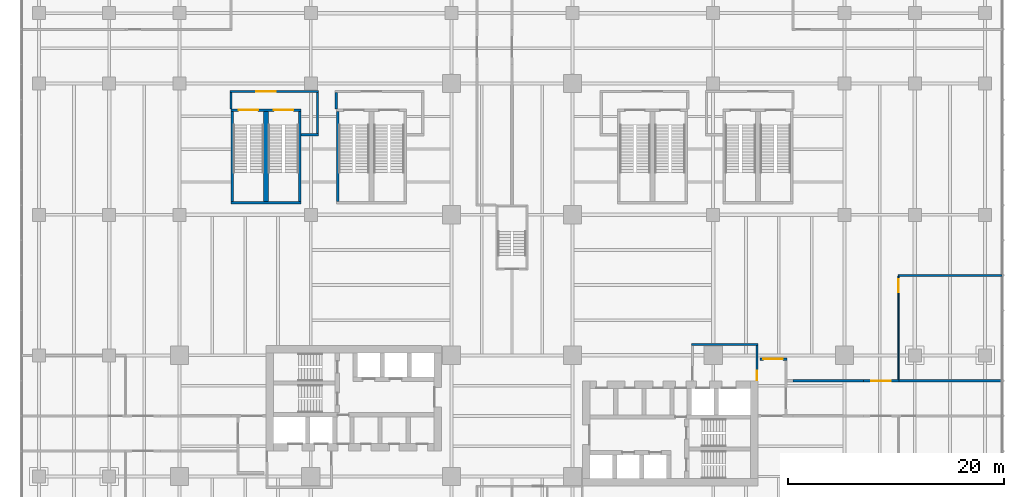
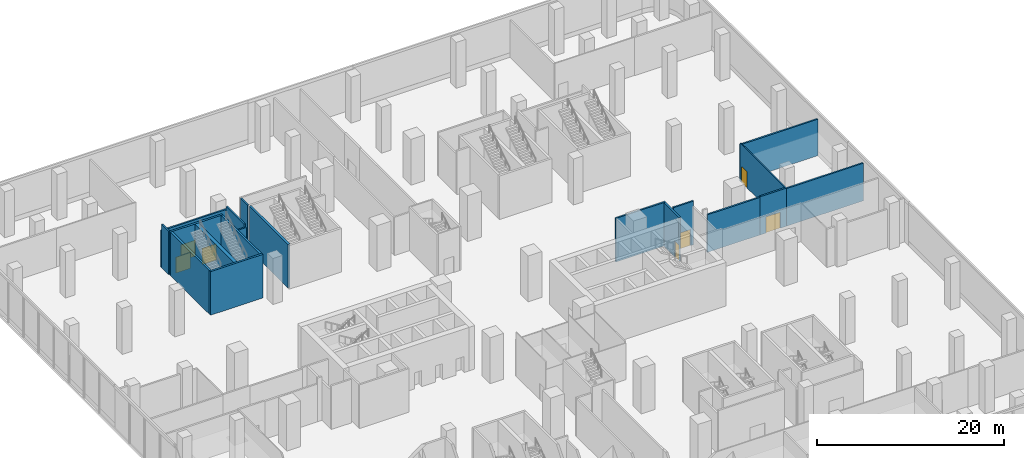
# One storey, part 37 of 41: 19 walls, 7 doors, 7 openings.
"""IFC4 building model written with IfcOpenShell, lengths in metres."""

from ifc_helpers import new_model, si_unit, direction, frame, frame_2d, origin, place, context, subcontext, project, spatial, rectangle, extrude, source, transform, mapped, material, layer, layer_set, type_object, element, fill, save


model = new_model("IFC4")

# Units and contexts
model_context = context("Model", 3, precision=1e-05, world=origin(), true_north=direction((0.0, 1.0)))
body_context = subcontext(model_context, "Body", "Model", "MODEL_VIEW")
ifc_project = project(units=[si_unit("LENGTHUNIT", "METRE"), si_unit("AREAUNIT", "SQUARE_METRE"), si_unit("VOLUMEUNIT", "CUBIC_METRE"), si_unit("PLANEANGLEUNIT", "RADIAN"), si_unit("MASSUNIT", "GRAM", prefix="KILO")], contexts=[model_context])

# Site, building, storey
site_placement = place(None, origin())
site = spatial("IfcSite", under=ifc_project, at=site_placement, CompositionType="ELEMENT")
building_placement = place(site_placement, origin())
building = spatial("IfcBuilding", under=site, at=building_placement, Name="Trellis Farm Tower", CompositionType="ELEMENT")
storey_placement = place(building_placement, frame((0.0, 0.0, 8.0)))
storey = spatial("IfcBuildingStorey", under=building, at=storey_placement, Name="L01", CompositionType="ELEMENT", Elevation=8.0)

# Wall, opening, door
ifc_material_1 = material(Name="Masonry blockwork", Category="masonry")
ifc_layer_1 = layer(ifc_material_1, 0.199951171875)
ifc_layer_set_1 = layer_set([ifc_layer_1], Name="FIRE LOBBY PARTITION 200 BLOCKWORK")
wall_type_1 = type_object("IfcWallType", Name="FIRE LOBBY PARTITION 200 BLOCKWORK", PredefinedType="PARTITIONING", material=ifc_layer_set_1)
shared_shape_1 = source(origin(), body_context, "Body", "SweptSolid", [
    extrude(rectangle(XDim=3.25, YDim=0.199951171875, at=frame_2d((1.625, 0.0))), origin(), (0.0, 0.0, 1.0), 5.699951171875),
])
wall_1_placement = place(storey_placement, frame((22.64990234375, 3.25, 0.0), z_axis=(0.0, 0.0, 1.0), x_axis=(0.0, 1.0, 0.0)))
wall_1 = element("IfcWall", 1, at=wall_1_placement, inside=storey, type_object=wall_type_1, Name="Fire-fighting lobby partition", PredefinedType="PARTITIONING", context=body_context, shape_type="MappedRepresentation", body=[
    mapped(shared_shape_1, transform((0.0, 0.0, 0.0))),
])
shared_shape_2 = source(origin(), body_context, "Body", "SweptSolid", [
    extrude(rectangle(XDim=0.89990234375, YDim=2.10009765625, at=frame_2d((0.449951171875, 1.050048828125))), frame((0.0, 0.110107421875, 0.0), z_axis=(0.0, -1.0, 0.0), x_axis=(1.0, 0.0, 0.0)), (0.0, 0.0, 1.0), 0.22021484375),
])
opening_1_placement = place(wall_1_placement, frame((0.050048828125, 0.0, 0.0)))
opening_1 = element("IfcOpeningElement", 2, at=opening_1_placement, cuts=wall_1, Name="Opening DC8", PredefinedType="OPENING", context=body_context, shape_type="MappedRepresentation", body=[
    mapped(shared_shape_2, transform((0.0, 0.0, 0.0))),
])
ifc_material_2 = material(Name="Steel", Category="steel")
door_type_1 = type_object("IfcDoorType", Name="CORE FIRE DOOR 900 X 2100", OperationType="NOTDEFINED", PredefinedType="DOOR", material=ifc_material_2)
shared_shape_3 = source(origin(), body_context, "Body", "SweptSolid", [
    extrude(rectangle(XDim=0.89990234375, YDim=2.10009765625, at=frame_2d((0.449951171875, 1.050048828125))), frame((0.0, 0.02490234375, 0.0), z_axis=(0.0, -1.0, 0.0), x_axis=(1.0, 0.0, 0.0)), (0.0, 0.0, 1.0), 0.050048828125),
])
door_1_placement = place(opening_1_placement, origin())
door_1 = element("IfcDoor", 3, at=door_1_placement, inside=storey, type_object=door_type_1, Name="Core door", OperationType="SINGLE_SWING_RIGHT", OverallHeight=2.10009765625, OverallWidth=0.89990234375, PredefinedType="DOOR", context=body_context, shape_type="MappedRepresentation", body=[
    mapped(shared_shape_3, transform((0.0, 0.0, 0.0))),
])
fill(opening_1, door_1)

# Wall
shared_shape_4 = source(origin(), body_context, "Body", "SweptSolid", [
    extrude(rectangle(XDim=6.14990234375, YDim=0.199951171875, at=frame_2d((3.074951171875, 0.0))), origin(), (0.0, 0.0, 1.0), 5.699951171875),
])
wall_2_placement = place(storey_placement, frame((16.60009765625, 6.60009765625, 0.0), z_axis=(0.0, 0.0, 1.0), x_axis=(1.0, 0.0, 0.0)))
element("IfcWall", 4, at=wall_2_placement, inside=storey, type_object=wall_type_1, Name="Fire-fighting lobby partition", PredefinedType="PARTITIONING", context=body_context, shape_type="MappedRepresentation", body=[
    mapped(shared_shape_4, transform((0.0, 0.0, 0.0))),
])

# Wall, openings, doors
ifc_material_3 = material(Name="Concrete C80/95", Category="concrete")
ifc_layer_2 = layer(ifc_material_3, 0.25)
ifc_layer_set_2 = layer_set([ifc_layer_2], Name="CORE STAIR ENCLOSURE WALL 250 CONCRETE C80/95")
wall_type_2 = type_object("IfcWallType", Name="CORE STAIR ENCLOSURE WALL 250 CONCRETE C80/95", PredefinedType="SHEAR", material=ifc_layer_set_2)
shared_shape_5 = source(origin(), body_context, "Body", "SweptSolid", [
    extrude(rectangle(XDim=6.5, YDim=0.25, at=frame_2d((3.25, 0.0))), origin(), (0.0, 0.0, 1.0), 5.699951171875),
])
wall_3_placement = place(storey_placement, frame((-26.0, 28.27490234375, 0.0), z_axis=(0.0, 0.0, 1.0), x_axis=(1.0, 0.0, 0.0)))
wall_3 = element("IfcWall", 5, at=wall_3_placement, inside=storey, type_object=wall_type_2, Name="Podium stair enclosure wall", PredefinedType="SHEAR", context=body_context, shape_type="MappedRepresentation", body=[
    mapped(shared_shape_5, transform((0.0, 0.0, 0.0))),
])
shared_shape_6 = source(origin(), body_context, "Body", "SweptSolid", [
    extrude(rectangle(XDim=1.800048828125, YDim=2.10009765625, at=frame_2d((0.89990234375, 1.050048828125))), frame((0.0, 0.135009765625, 0.0), z_axis=(0.0, -1.0, 0.0), x_axis=(1.0, 0.0, 0.0)), (0.0, 0.0, 1.0), 0.27001953125),
])
opening_2_placement = place(wall_3_placement, frame((0.72509765625, 0.0, 0.0)))
opening_2 = element("IfcOpeningElement", 6, at=opening_2_placement, cuts=wall_3, Name="Opening DP1", PredefinedType="OPENING", context=body_context, shape_type="MappedRepresentation", body=[
    mapped(shared_shape_6, transform((0.0, 0.0, 0.0))),
])
opening_3_placement = place(wall_3_placement, frame((3.97509765625, 0.0, 0.0)))
opening_3 = element("IfcOpeningElement", 7, at=opening_3_placement, cuts=wall_3, Name="Opening DP2", PredefinedType="OPENING", context=body_context, shape_type="MappedRepresentation", body=[
    mapped(shared_shape_6, transform((0.0, 0.0, 0.0))),
])
door_type_2 = type_object("IfcDoorType", Name="CORE FIRE DOOR DOUBLE 1800 X 2100", OperationType="DOUBLE_DOOR_SINGLE_SWING", PredefinedType="DOOR", material=ifc_material_2)
shared_shape_7 = source(origin(), body_context, "Body", "SweptSolid", [
    extrude(rectangle(XDim=1.800048828125, YDim=2.10009765625, at=frame_2d((0.89990234375, 1.050048828125))), frame((0.0, 0.02490234375, 0.0), z_axis=(0.0, -1.0, 0.0), x_axis=(1.0, 0.0, 0.0)), (0.0, 0.0, 1.0), 0.050048828125),
])
door_2_placement = place(opening_2_placement, origin())
door_2 = element("IfcDoor", 8, at=door_2_placement, inside=storey, type_object=door_type_2, Name="Podium stair door", OperationType="DOUBLE_DOOR_SINGLE_SWING", OverallHeight=2.10009765625, OverallWidth=1.800048828125, PredefinedType="DOOR", context=body_context, shape_type="MappedRepresentation", body=[
    mapped(shared_shape_7, transform((0.0, 0.0, 0.0))),
])
fill(opening_2, door_2)
door_3_placement = place(opening_3_placement, origin())
door_3 = element("IfcDoor", 9, at=door_3_placement, inside=storey, type_object=door_type_2, Name="Podium stair door", OperationType="DOUBLE_DOOR_SINGLE_SWING", OverallHeight=2.10009765625, OverallWidth=1.800048828125, PredefinedType="DOOR", context=body_context, shape_type="MappedRepresentation", body=[
    mapped(shared_shape_7, transform((0.0, 0.0, 0.0))),
])
fill(opening_3, door_3)

# Walls
wall_4_placement = place(storey_placement, frame((-26.0, 19.72509765625, 0.0), z_axis=(0.0, 0.0, 1.0), x_axis=(1.0, 0.0, 0.0)))
element("IfcWall", 10, at=wall_4_placement, inside=storey, type_object=wall_type_2, Name="Podium stair enclosure wall", PredefinedType="SHEAR", context=body_context, shape_type="MappedRepresentation", body=[
    mapped(shared_shape_5, transform((0.0, 0.0, 0.0))),
])
shared_shape_8 = source(origin(), body_context, "Body", "SweptSolid", [
    extrude(rectangle(XDim=8.2998046875, YDim=0.25, at=frame_2d((4.14990234375, 0.0))), origin(), (0.0, 0.0, 1.0), 5.699951171875),
])
for number, where, z_axis, x_axis, name in (
    (11, (-25.875, 19.85009765625, 0.0), (0.0, 0.0, 1.0), (0.0, 1.0, 0.0), "Podium stair enclosure wall"),
    (12, (-19.625, 19.85009765625, 0.0), (0.0, 0.0, 1.0), (0.0, 1.0, 0.0), "Podium stair enclosure wall"),
    (13, (-16.125, 19.85009765625, 0.0), (0.0, 0.0, 1.0), (0.0, 1.0, 0.0), "Podium stair enclosure wall"),
):
    element("IfcWall", number, at=place(storey_placement, frame(where, z_axis=z_axis, x_axis=x_axis)), inside=storey, type_object=wall_type_2, Name=name, PredefinedType="SHEAR", context=body_context, shape_type="MappedRepresentation", body=[
        mapped(shared_shape_8, transform((0.0, 0.0, 0.0))),
    ])
ifc_layer_3 = layer(ifc_material_3, 0.43994140625)
ifc_layer_set_3 = layer_set([ifc_layer_3], Name="CORE STAIR ENCLOSURE WALL 440 CONCRETE C80/95")
wall_type_3 = type_object("IfcWallType", Name="CORE STAIR ENCLOSURE WALL 440 CONCRETE C80/95", PredefinedType="SHEAR", material=ifc_layer_set_3)
shared_shape_9 = source(origin(), body_context, "Body", "SweptSolid", [
    extrude(rectangle(XDim=8.2998046875, YDim=0.43994140625, at=frame_2d((4.14990234375, 0.0))), origin(), (0.0, 0.0, 1.0), 5.699951171875),
])
wall_5_placement = place(storey_placement, frame((-22.75, 19.85009765625, 0.0), z_axis=(0.0, 0.0, 1.0), x_axis=(0.0, 1.0, 0.0)))
element("IfcWall", 14, at=wall_5_placement, inside=storey, type_object=wall_type_3, Name="Podium stair enclosure wall", PredefinedType="SHEAR", context=body_context, shape_type="MappedRepresentation", body=[
    mapped(shared_shape_9, transform((0.0, 0.0, 0.0))),
])
ifc_material_4 = material(Name="Lightweight blockwork, plastered", Category="masonry")
ifc_layer_4 = layer(ifc_material_4, 0.199951171875)
ifc_layer_set_4 = layer_set([ifc_layer_4], Name="BLOCK WALL 200 EI 120")
wall_type_4 = type_object("IfcWallType", Name="BLOCK WALL 200 EI 120", PredefinedType="PARTITIONING", material=ifc_layer_set_4)
shared_shape_10 = source(origin(), body_context, "Body", "SweptSolid", [
    extrude(rectangle(XDim=1.5, YDim=0.199951171875, at=frame_2d((0.75, 0.0))), origin(), (0.0, 0.0, 1.0), 5.699951171875),
])
for number, where, z_axis, x_axis, name in (
    (15, (-26.0, 29.89990234375, 0.0), (0.0, 0.0, 1.0), (0.0, -1.0, 0.0), "Partition PW3"),
    (16, (-16.25, 28.39990234375, 0.0), (0.0, 0.0, 1.0), (0.0, 1.0, 0.0), "Partition PW3"),
):
    element("IfcWall", number, at=place(storey_placement, frame(where, z_axis=z_axis, x_axis=x_axis)), inside=storey, type_object=wall_type_4, Name=name, PredefinedType="PARTITIONING", context=body_context, shape_type="MappedRepresentation", body=[
        mapped(shared_shape_10, transform((0.0, 0.0, 0.0))),
    ])
shared_shape_11 = source(origin(), body_context, "Body", "SweptSolid", [
    extrude(rectangle(XDim=3.7998046875, YDim=0.199951171875, at=frame_2d((1.89990234375, 0.0))), origin(), (0.0, 0.0, 1.0), 5.222900390625),
])
wall_6_placement = place(storey_placement, frame((-18.0, 29.89990234375, 0.0), z_axis=(0.0, 0.0, 1.0), x_axis=(0.0, -1.0, 0.0)))
element("IfcWall", 17, at=wall_6_placement, inside=storey, type_object=wall_type_4, Name="Partition PW3", PredefinedType="PARTITIONING", context=body_context, shape_type="MappedRepresentation", body=[
    mapped(shared_shape_11, transform((0.0, 0.0, 0.0))),
])

# Wall, opening, door
ifc_material_5 = material(Name="Plasterboard on steel studs, mineral wool", Category="steel")
ifc_layer_5 = layer(ifc_material_5, 0.125)
ifc_layer_set_5 = layer_set([ifc_layer_5], Name="PARTITION 125 STUD EI 60")
wall_type_5 = type_object("IfcWallType", Name="PARTITION 125 STUD EI 60", PredefinedType="PARTITIONING", material=ifc_layer_set_5)
shared_shape_12 = source(origin(), body_context, "Body", "SweptSolid", [
    extrude(rectangle(XDim=9.5498046875, YDim=0.125, at=frame_2d((4.77490234375, 0.0))), origin(), (0.0, 0.0, 1.0), 4.99658203125),
])
wall_7_placement = place(storey_placement, frame((35.75, 12.89990234375, 0.0), z_axis=(0.0, 0.0, 1.0), x_axis=(0.0, -1.0, 0.0)))
wall_7 = element("IfcWall", 18, at=wall_7_placement, inside=storey, type_object=wall_type_5, Name="Partition PW1", PredefinedType="PARTITIONING", context=body_context, shape_type="MappedRepresentation", body=[
    mapped(shared_shape_12, transform((0.0, 0.0, 0.0))),
])
shared_shape_13 = source(origin(), body_context, "Body", "SweptSolid", [
    extrude(rectangle(XDim=1.199951171875, YDim=2.10009765625, at=frame_2d((0.60009765625, 1.050048828125))), frame((0.0, 0.072509765625, 0.0), z_axis=(0.0, -1.0, 0.0), x_axis=(1.0, 0.0, 0.0)), (0.0, 0.0, 1.0), 0.14501953125),
])
opening_4_placement = place(wall_7_placement, frame((0.25, 0.0, 0.0)))
opening_4 = element("IfcOpeningElement", 19, at=opening_4_placement, cuts=wall_7, Name="Opening D608", PredefinedType="OPENING", context=body_context, shape_type="MappedRepresentation", body=[
    mapped(shared_shape_13, transform((0.0, 0.0, 0.0))),
])
ifc_material_6 = material(Name="Fire-rated timber door leaf in a hollow metal frame", Category="wood")
door_type_3 = type_object("IfcDoorType", Name="DOOR 1200x2100 FD30S", OperationType="NOTDEFINED", PredefinedType="DOOR", material=ifc_material_6)
shared_shape_14 = source(origin(), body_context, "Body", "SweptSolid", [
    extrude(rectangle(XDim=1.199951171875, YDim=2.10009765625, at=frame_2d((0.60009765625, 1.050048828125))), frame((0.0, 0.02490234375, 0.0), z_axis=(0.0, -1.0, 0.0), x_axis=(1.0, 0.0, 0.0)), (0.0, 0.0, 1.0), 0.050048828125),
])
door_4_placement = place(opening_4_placement, origin())
door_4 = element("IfcDoor", 20, at=door_4_placement, inside=storey, type_object=door_type_3, Name="Door D608", OperationType="SINGLE_SWING_LEFT", OverallHeight=2.10009765625, OverallWidth=1.199951171875, PredefinedType="DOOR", context=body_context, shape_type="MappedRepresentation", body=[
    mapped(shared_shape_14, transform((0.0, 0.0, 0.0))),
])
fill(opening_4, door_4)

shared_shape_15 = source(origin(), body_context, "Body", "SweptSolid", [
    extrude(rectangle(XDim=8.2001953125, YDim=0.199951171875, at=frame_2d((4.10009765625, 0.0))), origin(), (0.0, 0.0, 1.0), 4.83935546875),
])
wall_8_placement = place(storey_placement, frame((-26.10009765625, 30.0, 0.0), z_axis=(0.0, 0.0, 1.0), x_axis=(1.0, 0.0, 0.0)))
wall_8 = element("IfcWall", 21, at=wall_8_placement, inside=storey, type_object=wall_type_4, Name="Partition PW3", PredefinedType="PARTITIONING", context=body_context, shape_type="MappedRepresentation", body=[
    mapped(shared_shape_15, transform((0.0, 0.0, 0.0))),
])
shared_shape_16 = source(origin(), body_context, "Body", "SweptSolid", [
    extrude(rectangle(XDim=1.800048828125, YDim=2.10009765625, at=frame_2d((0.89990234375, 1.050048828125))), frame((0.0, 0.110107421875, 0.0), z_axis=(0.0, -1.0, 0.0), x_axis=(1.0, 0.0, 0.0)), (0.0, 0.0, 1.0), 0.22021484375),
])
opening_5_placement = place(wall_8_placement, frame((2.449951171875, 0.0, 0.0)))
opening_5 = element("IfcOpeningElement", 22, at=opening_5_placement, cuts=wall_8, Name="Opening D416", PredefinedType="OPENING", context=body_context, shape_type="MappedRepresentation", body=[
    mapped(shared_shape_16, transform((0.0, 0.0, 0.0))),
])
door_type_4 = type_object("IfcDoorType", Name="DOOR PAIR 1800x2100 FD60", OperationType="NOTDEFINED", PredefinedType="DOOR", material=ifc_material_6)
door_5_placement = place(opening_5_placement, origin())
door_5 = element("IfcDoor", 23, at=door_5_placement, inside=storey, type_object=door_type_4, Name="Door D416", OperationType="DOUBLE_DOOR_SINGLE_SWING", OverallHeight=2.10009765625, OverallWidth=1.800048828125, PredefinedType="DOOR", context=body_context, shape_type="MappedRepresentation", body=[
    mapped(shared_shape_7, transform((0.0, 0.0, 0.0))),
])
fill(opening_5, door_5)

# Wall
shared_shape_17 = source(origin(), body_context, "Body", "SweptSolid", [
    extrude(rectangle(XDim=1.60009765625, YDim=0.199951171875, at=frame_2d((0.800048828125, 0.0))), origin(), (0.0, 0.0, 1.0), 4.83935546875),
])
wall_9_placement = place(storey_placement, frame((-17.89990234375, 26.0, 0.0), z_axis=(0.0, 0.0, 1.0), x_axis=(-1.0, 0.0, 0.0)))
element("IfcWall", 24, at=wall_9_placement, inside=storey, type_object=wall_type_4, Name="Partition PW3", PredefinedType="PARTITIONING", context=body_context, shape_type="MappedRepresentation", body=[
    mapped(shared_shape_17, transform((0.0, 0.0, 0.0))),
])

# Wall, opening, door
shared_shape_18 = source(origin(), body_context, "Body", "SweptSolid", [
    extrude(rectangle(XDim=3.3125, YDim=0.199951171875, at=frame_2d((1.65625, 0.0))), origin(), (0.0, 0.0, 1.0), 4.99658203125),
])
wall_10_placement = place(storey_placement, frame((32.5, 3.25, 0.0), z_axis=(0.0, 0.0, 1.0), x_axis=(1.0, 0.0, 0.0)))
wall_10 = element("IfcWall", 25, at=wall_10_placement, inside=storey, type_object=wall_type_4, Name="Partition PW3", PredefinedType="PARTITIONING", context=body_context, shape_type="MappedRepresentation", body=[
    mapped(shared_shape_18, transform((0.0, 0.0, 0.0))),
])
opening_6_placement = place(wall_10_placement, frame((0.72509765625, 0.0, 0.0)))
opening_6 = element("IfcOpeningElement", 26, at=opening_6_placement, cuts=wall_10, Name="Opening D414", PredefinedType="OPENING", context=body_context, shape_type="MappedRepresentation", body=[
    mapped(shared_shape_16, transform((0.0, 0.0, 0.0))),
])
door_6_placement = place(opening_6_placement, origin())
door_6 = element("IfcDoor", 27, at=door_6_placement, inside=storey, type_object=door_type_4, Name="Door D414", OperationType="DOUBLE_DOOR_SINGLE_SWING", OverallHeight=2.10009765625, OverallWidth=1.800048828125, PredefinedType="DOOR", context=body_context, shape_type="MappedRepresentation", body=[
    mapped(shared_shape_7, transform((0.0, 0.0, 0.0))),
])
fill(opening_6, door_6)

# Walls
shared_shape_19 = source(origin(), body_context, "Body", "SweptSolid", [
    extrude(rectangle(XDim=6.5, YDim=0.199951171875, at=frame_2d((3.25, 0.0))), origin(), (0.0, 0.0, 1.0), 4.917724609375),
])
wall_11_placement = place(storey_placement, frame((26.0, 3.25, 0.0), z_axis=(0.0, 0.0, 1.0), x_axis=(1.0, 0.0, 0.0)))
element("IfcWall", 28, at=wall_11_placement, inside=storey, type_object=wall_type_4, Name="Partition PW3", PredefinedType="PARTITIONING", context=body_context, shape_type="MappedRepresentation", body=[
    mapped(shared_shape_19, transform((0.0, 0.0, 0.0))),
])
shared_shape_20 = source(origin(), body_context, "Body", "SweptSolid", [
    extrude(rectangle(XDim=9.612548828125, YDim=0.199951171875, at=frame_2d((4.80615234375, 0.0))), origin(), (0.0, 0.0, 1.0), 4.917724609375),
])
wall_12_placement = place(storey_placement, frame((35.6875, 3.25, 0.0), z_axis=(0.0, 0.0, 1.0), x_axis=(1.0, 0.0, 0.0)))
element("IfcWall", 29, at=wall_12_placement, inside=storey, type_object=wall_type_4, Name="Partition PW3", PredefinedType="PARTITIONING", context=body_context, shape_type="MappedRepresentation", body=[
    mapped(shared_shape_20, transform((0.0, 0.0, 0.0))),
])

# Wall, opening, door
shared_shape_21 = source(origin(), body_context, "Body", "SweptSolid", [
    extrude(rectangle(XDim=2.5, YDim=0.199951171875, at=frame_2d((1.25, 0.0))), origin(), (0.0, 0.0, 1.0), 5.699951171875),
])
wall_13_placement = place(storey_placement, frame((25.449951171875, 5.25, 0.0), z_axis=(0.0, 0.0, 1.0), x_axis=(-1.0, 0.0, 0.0)))
wall_13 = element("IfcWall", 30, at=wall_13_placement, inside=storey, type_object=wall_type_4, Name="Partition PW3", PredefinedType="PARTITIONING", context=body_context, shape_type="MappedRepresentation", body=[
    mapped(shared_shape_21, transform((0.0, 0.0, 0.0))),
])
opening_7_placement = place(wall_13_placement, frame((0.39990234375, 0.0, 0.0)))
opening_7 = element("IfcOpeningElement", 31, at=opening_7_placement, cuts=wall_13, Name="Opening D415", PredefinedType="OPENING", context=body_context, shape_type="MappedRepresentation", body=[
    mapped(shared_shape_16, transform((0.0, 0.0, 0.0))),
])
door_7_placement = place(opening_7_placement, origin())
door_7 = element("IfcDoor", 32, at=door_7_placement, inside=storey, type_object=door_type_4, Name="Door D415", OperationType="DOUBLE_DOOR_SINGLE_SWING", OverallHeight=2.10009765625, OverallWidth=1.800048828125, PredefinedType="DOOR", context=body_context, shape_type="MappedRepresentation", body=[
    mapped(shared_shape_7, transform((0.0, 0.0, 0.0))),
])
fill(opening_7, door_7)

# Wall
shared_shape_22 = source(origin(), body_context, "Body", "SweptSolid", [
    extrude(rectangle(XDim=9.612548828125, YDim=0.199951171875, at=frame_2d((4.80615234375, 0.0))), origin(), (0.0, 0.0, 1.0), 4.76171875),
])
wall_14_placement = place(storey_placement, frame((35.6875, 13.0, 0.0), z_axis=(0.0, 0.0, 1.0), x_axis=(1.0, 0.0, 0.0)))
element("IfcWall", 33, at=wall_14_placement, inside=storey, type_object=wall_type_4, Name="Partition PW3", PredefinedType="PARTITIONING", context=body_context, shape_type="MappedRepresentation", body=[
    mapped(shared_shape_22, transform((0.0, 0.0, 0.0))),
])

save(model, "model.ifc")
